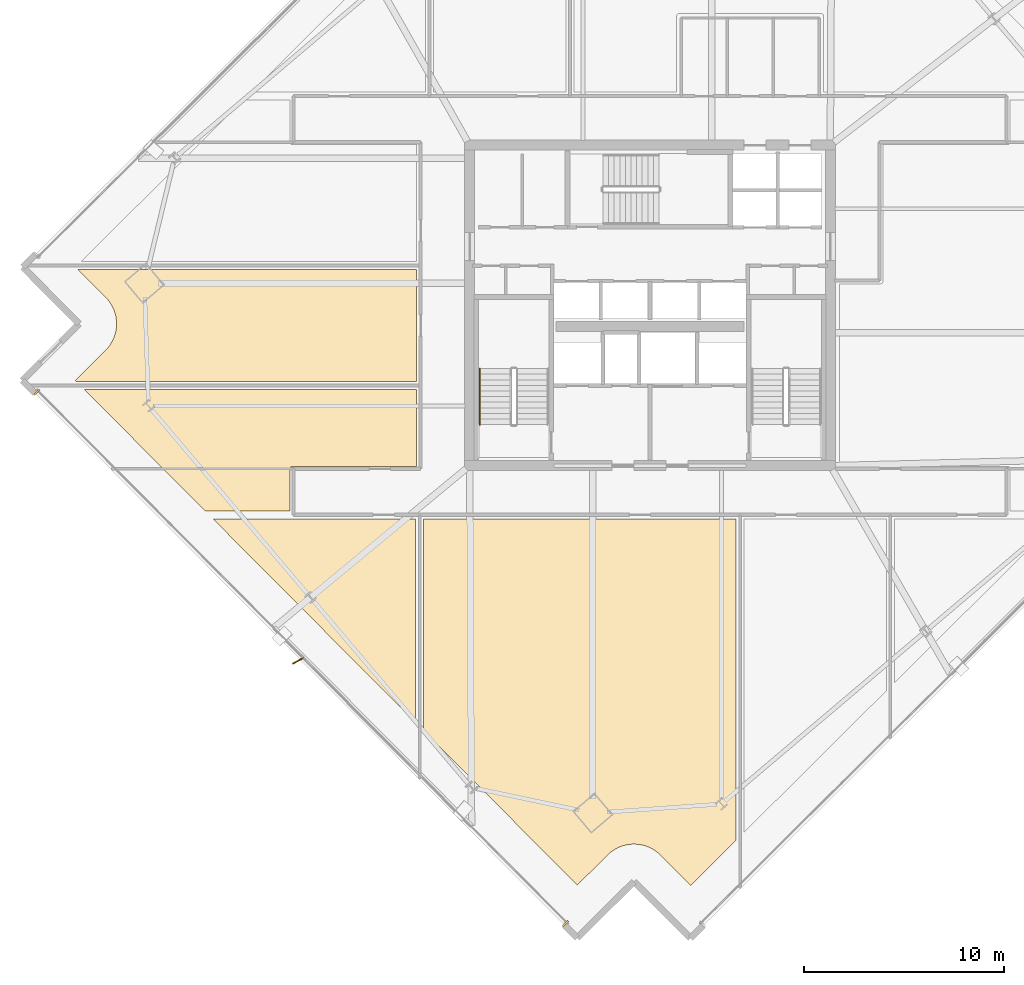
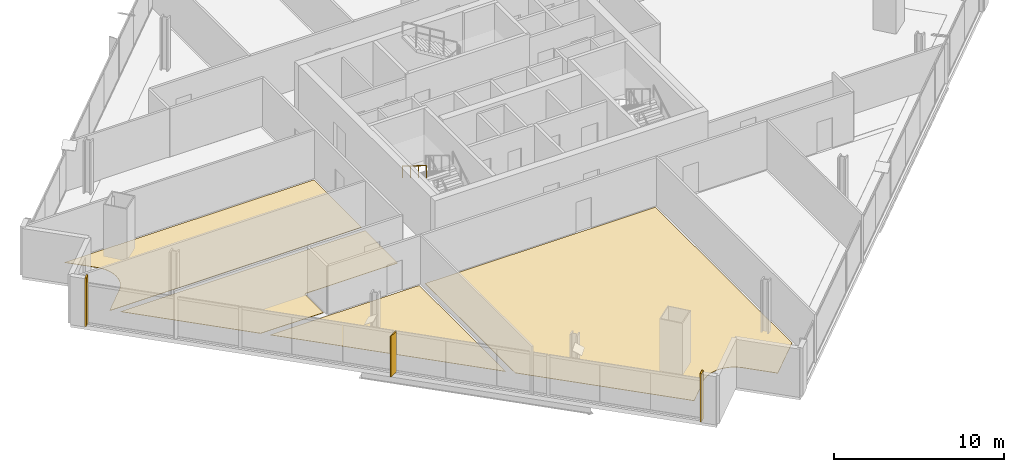
# One storey, part 28 of 32: 6 coverings, 1 railing, 1 shading device.
"""IFC4 building model written with IfcOpenShell, lengths in metres."""

from ifc_helpers import new_model, si_unit, direction, frame, origin, origin_2d, place, context, subcontext, project, spatial, polyline, rectangle, outline, extrude, source, transform, mapped, material, layer, layer_set, type_object, element, save


model = new_model("IFC4")

# Units and contexts
model_context = context("Model", 3, precision=1e-05, world=origin(), true_north=direction((0.0, 1.0)))
body_context = subcontext(model_context, "Body", "Model", "MODEL_VIEW")
ifc_project = project(units=[si_unit("LENGTHUNIT", "METRE"), si_unit("AREAUNIT", "SQUARE_METRE"), si_unit("VOLUMEUNIT", "CUBIC_METRE"), si_unit("PLANEANGLEUNIT", "RADIAN"), si_unit("MASSUNIT", "GRAM", prefix="KILO")], contexts=[model_context])

# Site, building, storey
site_placement = place(None, origin())
site = spatial("IfcSite", under=ifc_project, at=site_placement, CompositionType="ELEMENT")
building_placement = place(site_placement, origin())
building = spatial("IfcBuilding", under=site, at=building_placement, Name="Haldenkirk Collegiate Tower", CompositionType="ELEMENT")
storey_placement = place(building_placement, frame((0.0, 0.0, 178.199951171875)))
storey = spatial("IfcBuildingStorey", under=building, at=storey_placement, Name="L44", CompositionType="ELEMENT", Elevation=178.199951171875)

# Coverings
ifc_material_1 = material(Name="Polished collegiate terrazzo", Category="concrete")
ifc_layer_1 = layer(ifc_material_1, 0.02490234375)
ifc_layer_set_1 = layer_set([ifc_layer_1], Name="Polished collegiate terrazzo")
covering_type_1 = type_object("IfcCoveringType", Name="COV-FLOOR-TERRAZZO", PredefinedType="FLOORING", material=ifc_layer_set_1)
covering_1_placement = place(storey_placement, origin())
element("IfcCovering", 1, at=covering_1_placement, inside=storey, type_object=covering_type_1, Name="L44 academic room finish 02", PredefinedType="FLOORING", context=body_context, shape_type="SweptSolid", body=[
    extrude(outline(polyline([(35.92529296875, -1.0361328125), (35.91455078125, -1.03173828125), (35.7529296875, -0.973388671875), (35.74169921875, -0.969970703125), (35.5751953125, -0.927734375), (35.563720703125, -0.92529296875), (35.393798828125, -0.89990234375), (35.382080078125, -0.898681640625), (35.210693359375, -0.889892578125), (35.198974609375, -0.8896484375), (35.02734375, -0.897705078125), (35.015625, -0.898681640625), (34.845703125, -0.923583984375), (34.833984375, -0.92578125), (34.66748046875, -0.967041015625), (34.656005859375, -0.970458984375), (34.494140625, -1.028076171875), (34.4833984375, -1.032470703125), (34.327880859375, -1.10546875), (34.317626953125, -1.111083984375), (34.170166015625, -1.198974609375), (34.160400390625, -1.205322265625), (34.022216796875, -1.307373046875), (34.012939453125, -1.314697265625), (33.885498046875, -1.4296875), (33.881103515625, -1.433837890625), (32.37109375, -2.93603515625), (24.699951171875, 4.775146484375), (24.699951171875, 15.35009765625), (40.300048828125, 15.35009765625), (40.300048828125, -0.6904296875), (38.02783203125, -2.95068359375), (36.525634765625, -1.44091796875), (36.521484375, -1.436767578125), (36.394287109375, -1.321044921875), (36.38525390625, -1.3134765625), (36.247802734375, -1.2109375), (36.238037109375, -1.204345703125), (36.0908203125, -1.115478515625), (36.08056640625, -1.110107421875), (35.92529296875, -1.0361328125)])), origin(), (0.0, 0.0, 1.0), 0.025146484375),
])
covering_2_placement = place(storey_placement, origin())
element("IfcCovering", 2, at=covering_2_placement, inside=storey, type_object=covering_type_1, Name="L44 academic room finish 08", PredefinedType="FLOORING", context=body_context, shape_type="SweptSolid", body=[
    extrude(outline(polyline([(18.14990234375, 17.969970703125), (18.13818359375, 17.969482421875), (18.126708984375, 17.9677734375), (18.115234375, 17.96484375), (18.10400390625, 17.9609375), (18.093505859375, 17.955810546875), (18.083251953125, 17.94970703125), (18.073974609375, 17.94287109375), (18.065185546875, 17.934814453125), (18.05712890625, 17.926025390625), (18.05029296875, 17.916748046875), (18.044189453125, 17.906494140625), (18.0390625, 17.89599609375), (18.03515625, 17.884765625), (18.0322265625, 17.873291015625), (18.030517578125, 17.86181640625), (18.030029296875, 17.85009765625), (18.030029296875, 15.75), (13.78271484375, 15.75), (7.76416015625, 21.800048828125), (24.35009765625, 21.800048828125), (24.35009765625, 17.969970703125), (18.14990234375, 17.969970703125)])), origin(), (0.0, 0.0, 1.0), 0.025146484375),
])
ifc_material_2 = material(Name="Engineered collegiate oak acoustic flooring", Category="wood")
ifc_layer_2 = layer(ifc_material_2, 0.02197265625)
ifc_layer_set_2 = layer_set([ifc_layer_2], Name="Engineered collegiate oak acoustic flooring")
covering_type_2 = type_object("IfcCoveringType", Name="COV-FLOOR-TIMBER", PredefinedType="FLOORING", material=ifc_layer_set_2)
covering_3_placement = place(storey_placement, origin())
element("IfcCovering", 3, at=covering_3_placement, inside=storey, type_object=covering_type_2, Name="L44 academic room finish 01", PredefinedType="FLOORING", context=body_context, shape_type="SweptSolid", body=[
    extrude(outline(polyline([(14.180419921875, 15.35009765625), (24.300048828125, 15.35009765625), (24.300048828125, 5.177490234375), (14.180419921875, 15.35009765625)])), origin(), (0.0, 0.0, 1.0), 0.02197265625),
])
covering_4_placement = place(storey_placement, origin())
element("IfcCovering", 4, at=covering_4_placement, inside=storey, type_object=covering_type_2, Name="L44 academic room finish 09", PredefinedType="FLOORING", context=body_context, shape_type="SweptSolid", body=[
    extrude(outline(polyline([(7.437744140625, 27.800048828125), (24.35009765625, 27.800048828125), (24.35009765625, 22.199951171875), (7.3662109375, 22.199951171875), (7.309814453125, 22.256591796875), (8.81982421875, 23.759033203125), (8.823974609375, 23.76318359375), (8.939697265625, 23.89013671875), (8.947265625, 23.8994140625), (9.0498046875, 24.037109375), (9.056396484375, 24.046630859375), (9.14501953125, 24.193603515625), (9.150634765625, 24.2041015625), (9.224609375, 24.359130859375), (9.22900390625, 24.3701171875), (9.287353515625, 24.531494140625), (9.290771484375, 24.542724609375), (9.3330078125, 24.709228515625), (9.335205078125, 24.720947265625), (9.36083984375, 24.890625), (9.362060546875, 24.90234375), (9.370849609375, 25.073974609375), (9.37109375, 25.085693359375), (9.363037109375, 25.25732421875), (9.36181640625, 25.26904296875), (9.337158203125, 25.43896484375), (9.3349609375, 25.450439453125), (9.293701171875, 25.6171875), (9.290283203125, 25.62841796875), (9.232666015625, 25.790283203125), (9.228271484375, 25.80126953125), (9.1552734375, 25.95654296875), (9.149658203125, 25.967041015625), (9.061767578125, 26.114501953125), (9.055419921875, 26.124267578125), (8.953369140625, 26.262451171875), (8.94580078125, 26.271484375), (8.830810546875, 26.399169921875), (8.826904296875, 26.403564453125), (7.437744140625, 27.800048828125)])), origin(), (0.0, 0.0, 1.0), 0.02197265625),
])

# Railing
ifc_material_3 = material(Name="Painted architectural tubular steel", Category="steel")
railing_type = type_object("IfcRailingType", Name="RLG-STAIR-HANDRAIL-900", PredefinedType="HANDRAIL", material=ifc_material_3)
railing_placement = place(storey_placement, frame((27.5, 22.85009765625, 2.04541015625)))
element("IfcRailing", 5, at=railing_placement, inside=storey, type_object=railing_type, Name="L44 ST-1 stair handrail 2", PredefinedType="HANDRAIL", context=body_context, shape_type="SweptSolid", body=[
    extrude(rectangle(XDim=0.048095703125, YDim=0.048095703125, at=origin_2d()), frame((0.0, 0.0, 0.8759765625), z_axis=(0.0, -0.854169791009, 0.51999420009), x_axis=(1.0, 0.0, 0.0)), (0.0, 0.0, 1.0), 3.278076171875),
    extrude(rectangle(XDim=0.0419921875, YDim=0.0419921875, at=origin_2d()), origin(), (0.0, 0.0, 1.0), 0.851806640625),
    extrude(rectangle(XDim=0.0419921875, YDim=0.0419921875, at=origin_2d()), frame((0.0, -0.933349609375, 0.568115234375)), (0.0, 0.0, 1.0), 0.851806640625),
    extrude(rectangle(XDim=0.0419921875, YDim=0.0419921875, at=origin_2d()), frame((0.0, -1.86669921875, 1.136474609375)), (0.0, 0.0, 1.0), 0.851806640625),
    extrude(rectangle(XDim=0.0419921875, YDim=0.0419921875, at=origin_2d()), frame((0.0, -2.800048828125, 1.70458984375)), (0.0, 0.0, 1.0), 0.851806640625),
])

# Coverings
ifc_material_4 = material(Name="Anodised architectural bronze aluminium", Category="aluminium")
ifc_layer_3 = layer(ifc_material_4, 0.06005859375)
ifc_layer_set_3 = layer_set([ifc_layer_3], Name="Anodised architectural bronze aluminium")
covering_type_3 = type_object("IfcCoveringType", Name="COV-CLAD-BRONZE-60", PredefinedType="CLADDING", material=ifc_layer_set_3)
shared_shape_1 = source(origin(), body_context, "Body", "SweptSolid", [
    extrude(rectangle(XDim=0.10009765625, YDim=0.3798828125, at=origin_2d()), origin(), (0.0, 0.0, 1.0), 3.4599609375),
])
for number, where, z_axis, x_axis, name in (
    (6, (31.77197265625, -4.85791015625, 0.0), (0.0, 0.0, 1.0), (-0.705253158862, 0.708955557081, 0.0), "L44 recessed curtain-wall bronze jamb closure WJL"),
    (7, (5.385009765625, 21.667724609375, 0.0), (0.0, 0.0, 1.0), (-0.705253158862, 0.708955557081, 0.0), "L44 recessed curtain-wall bronze jamb closure WJR"),
):
    element("IfcCovering", number, at=place(storey_placement, frame(where, z_axis=z_axis, x_axis=x_axis)), inside=storey, type_object=covering_type_3, Name=name, PredefinedType="CLADDING", context=body_context, shape_type="MappedRepresentation", body=[
        mapped(shared_shape_1, transform((0.0, 0.0, 0.0), x_axis=(1.0, 0.0, 0.0), y_axis=(0.0, 1.0, 0.0), z_axis=(0.0, 0.0, 1.0), scale=1.0)),
    ])

# Shading device
ifc_layer_4 = layer(ifc_material_4, 0.06494140625)
ifc_layer_set_4 = layer_set([ifc_layer_4], Name="Anodised architectural bronze aluminium")
shading_device_type = type_object("IfcShadingDeviceType", Name="SHD-FIN-BRONZE-620", PredefinedType="USERDEFINED", material=ifc_layer_set_4)
shared_shape_2 = source(origin(), body_context, "Body", "SweptSolid", [
    extrude(rectangle(XDim=0.6201171875, YDim=0.06494140625, at=origin_2d()), origin(), (0.0, 0.0, 1.0), 2.910888671875),
])
shading_device_placement = place(storey_placement, frame((18.43310546875, 8.26025390625, 0.0), z_axis=(0.0, 0.0, 1.0), x_axis=(-0.875885937035, -0.482518212408, 0.0)))
element("IfcShadingDevice", 8, at=shading_device_placement, inside=storey, type_object=shading_device_type, Name="L44 folded bronze solar fin 1", ObjectType="FIN", PredefinedType="USERDEFINED", context=body_context, shape_type="MappedRepresentation", body=[
    mapped(shared_shape_2, transform((0.0, 0.0, 0.0), x_axis=(1.0, 0.0, 0.0), y_axis=(0.0, 1.0, 0.0), z_axis=(0.0, 0.0, 1.0), scale=1.0)),
])

save(model, "model.ifc")
